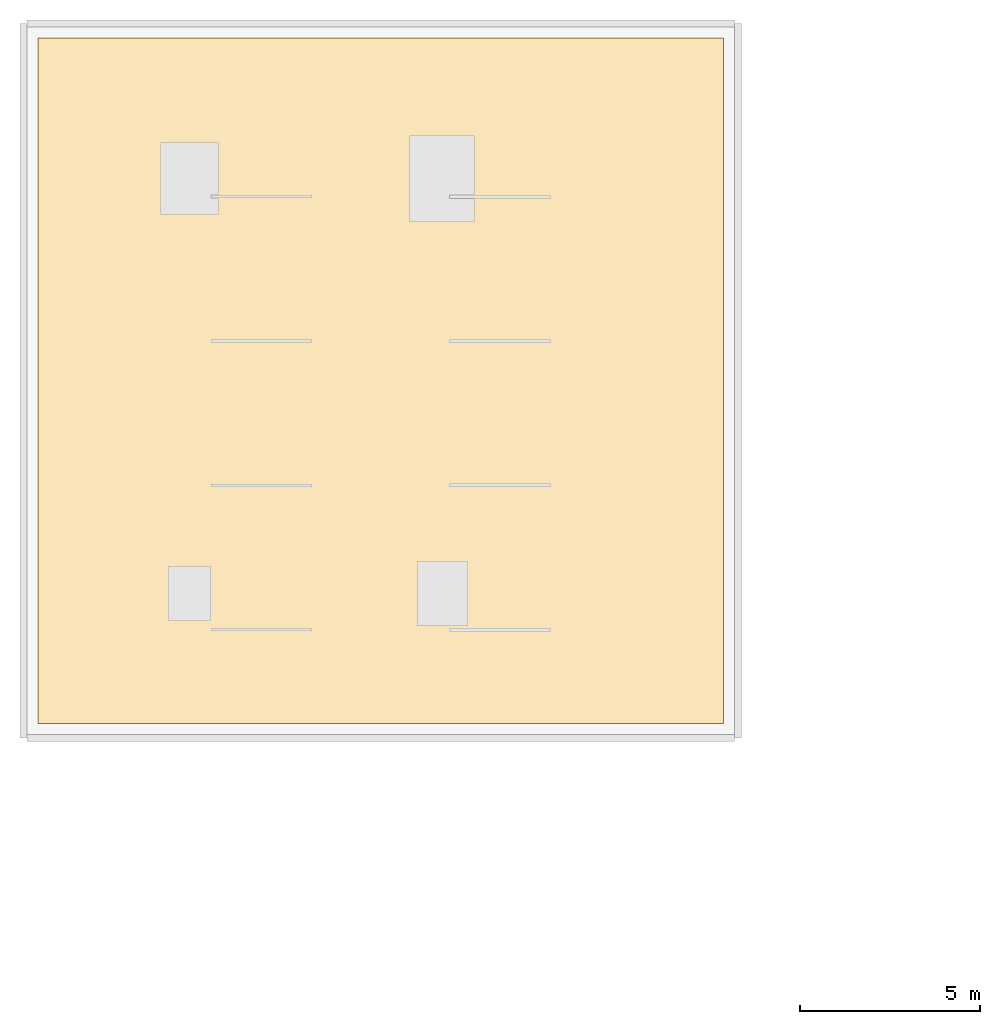
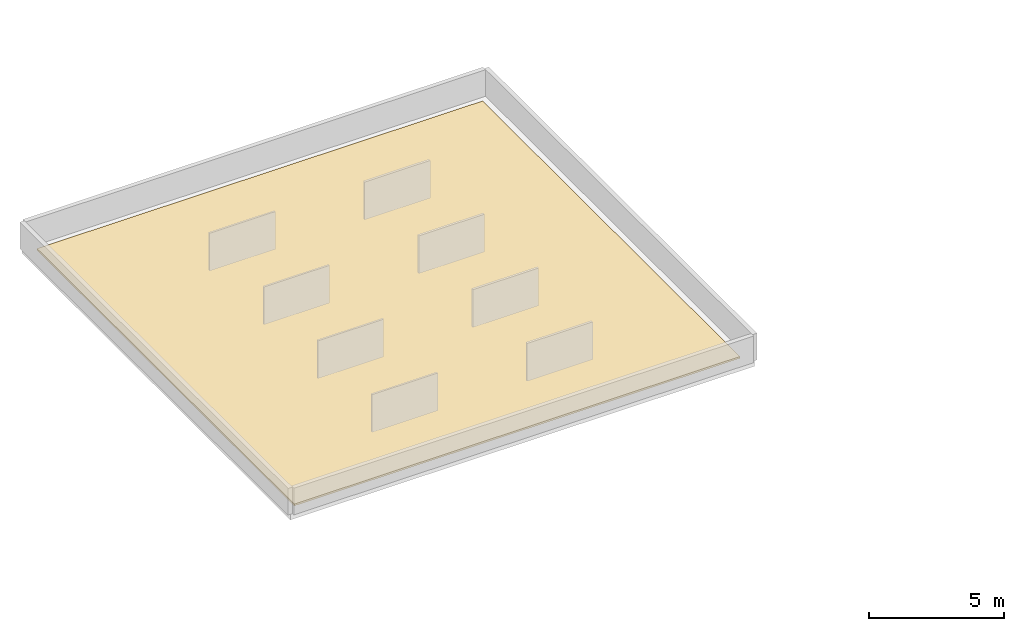
# One storey, part 64 of 66: 1 covering.
"""IFC4 building model written with IfcOpenShell, lengths in metres."""

from ifc_helpers import new_model, si_unit, direction, frame, origin, place, context, subcontext, project, spatial, polyline, outline, extrude, material, layer, layer_set, type_object, element, save


model = new_model("IFC4")

# Units and contexts
model_context = context("Model", 3, precision=1e-05, world=origin(), true_north=direction((0.0, 1.0)))
body_context = subcontext(model_context, "Body", "Model", "MODEL_VIEW")
ifc_project = project(units=[si_unit("LENGTHUNIT", "METRE"), si_unit("AREAUNIT", "SQUARE_METRE"), si_unit("VOLUMEUNIT", "CUBIC_METRE"), si_unit("PLANEANGLEUNIT", "RADIAN"), si_unit("MASSUNIT", "GRAM", prefix="KILO")], contexts=[model_context])

# Site, building, storey
site_placement = place(None, origin())
site = spatial("IfcSite", under=ifc_project, at=site_placement, CompositionType="ELEMENT")
building_placement = place(site_placement, origin())
building = spatial("IfcBuilding", under=site, at=building_placement, Name="Karori Crest Natural Sciences Institute", CompositionType="ELEMENT")
storey_placement = place(building_placement, frame((0.0, 0.0, 30.10009765625)))
storey = spatial("IfcBuildingStorey", under=building, at=storey_placement, Name="L07", CompositionType="ELEMENT", Elevation=30.10009765625)

# Covering
ifc_material = material(Name="Planted coastal roof garden substrate and membrane")
ifc_layer = layer(ifc_material, 0.080078125, Name="Planted coastal roof garden substrate and membrane")
ifc_layer_set = layer_set([ifc_layer], Name="Planted coastal roof garden substrate and membrane")
covering_type = type_object("IfcCoveringType", Name="CVT-ROOF", PredefinedType="ROOFING", material=ifc_layer_set)
covering_placement = place(storey_placement, origin())
element("IfcCovering", 1, at=covering_placement, inside=storey, type_object=covering_type, Name="Roof membrane and garden covering RF-0005", PredefinedType="ROOFING", context=body_context, shape_type="SweptSolid", body=[
    extrude(outline(polyline([(7.800048828125, 95.39990234375), (26.800048828125, 95.39990234375), (26.800048828125, 114.39990234375), (7.800048828125, 114.39990234375), (7.800048828125, 95.39990234375)])), origin(), (0.0, 0.0, 1.0), 0.079833984375),
])

save(model, "model.ifc")
